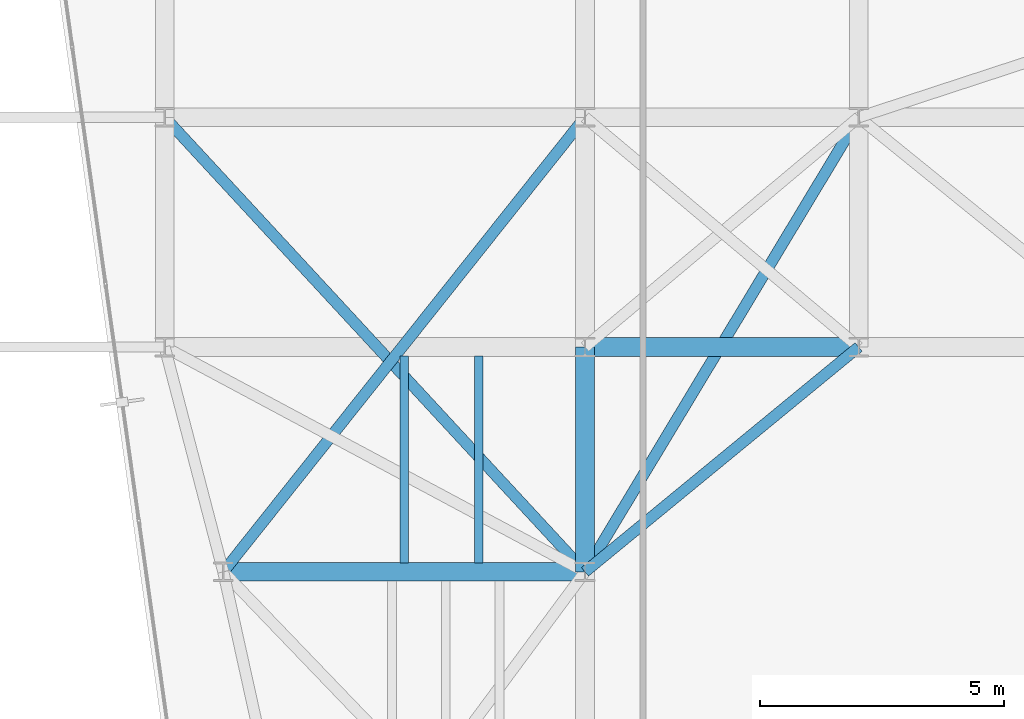
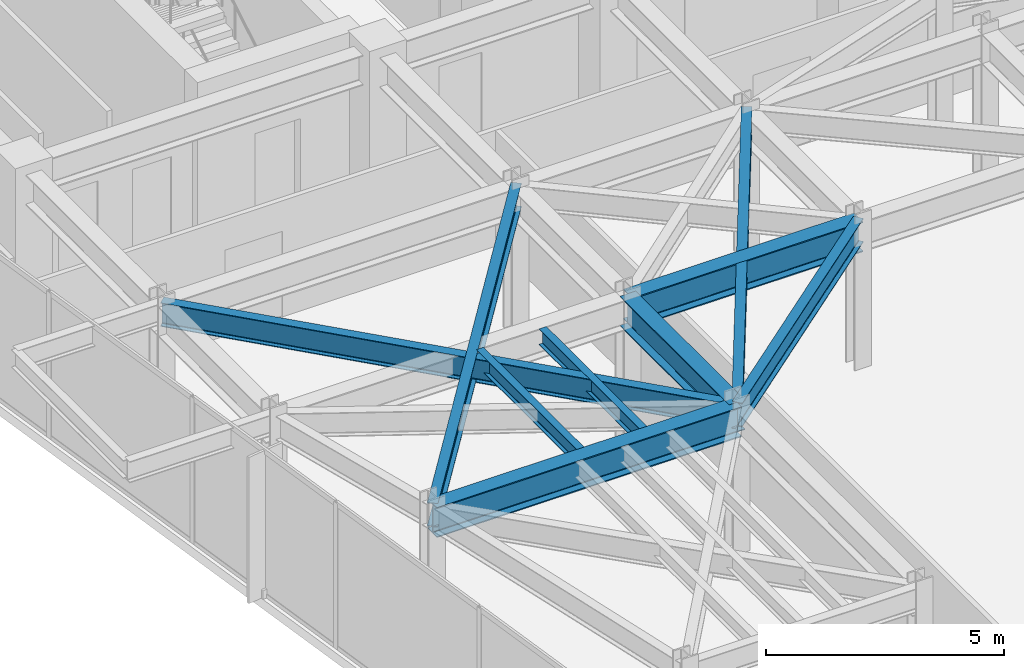
# One storey, part 5 of 27: 9 beams.
"""IFC4 building model written with IfcOpenShell, lengths in metres."""

from ifc_helpers import new_model, si_unit, direction, frame, origin, origin_2d, place, context, subcontext, project, spatial, i_section, extrude, material, material_profile, profile_set, type_object, element, save


model = new_model("IFC4")

# Units and contexts
model_context = context("Model", 3, precision=1e-05, world=origin(), true_north=direction((0.0, 1.0)))
body_context = subcontext(model_context, "Body", "Model", "MODEL_VIEW")
ifc_project = project(units=[si_unit("LENGTHUNIT", "METRE"), si_unit("AREAUNIT", "SQUARE_METRE"), si_unit("VOLUMEUNIT", "CUBIC_METRE"), si_unit("PLANEANGLEUNIT", "RADIAN"), si_unit("MASSUNIT", "GRAM", prefix="KILO")], contexts=[model_context])

# Site, building, storey
site_placement = place(None, origin())
site = spatial("IfcSite", under=ifc_project, at=site_placement, CompositionType="ELEMENT")
building_placement = place(site_placement, origin())
building = spatial("IfcBuilding", under=site, at=building_placement, Name="Kravanh Interchange Tower", CompositionType="ELEMENT")
storey_placement = place(building_placement, frame((0.0, 0.0, 196.5)))
storey = spatial("IfcBuildingStorey", under=building, at=storey_placement, Name="L47", CompositionType="ELEMENT", Elevation=196.5)

# Beams
ifc_material_1 = material(Name="Structural Steel S355", Category="steel")
ifc_material_profile_1 = material_profile(ifc_material_1, i_section(OverallWidth=0.381103515625, OverallDepth=0.77294921875, WebThickness=0.0166015625, FlangeThickness=0.027099609375, FilletRadius=0.02490234375, at=origin_2d()), Name="W30X173")
ifc_profile_set_1 = profile_set([ifc_material_profile_1], Name="Structural Steel S355")
beam_type_1 = type_object("IfcBeamType", Name="Floor Beam W30X173 Structural Steel S355", PredefinedType="BEAM", material=ifc_profile_set_1)
beam_1_placement = place(storey_placement, frame((27.199951171875, 26.800048828125, 3.368408203125), z_axis=(0.0, -1.0, 0.0), x_axis=(1.0, 0.0, 0.0)))
element("IfcBeam", 1, at=beam_1_placement, inside=storey, type_object=beam_type_1, Name="L47 Primary Floor Girder 37", PredefinedType="BEAM", context=body_context, shape_type="SweptSolid", body=[
    extrude(i_section(OverallWidth=0.381103515625, OverallDepth=0.77294921875, WebThickness=0.0166015625, FlangeThickness=0.027099609375, FilletRadius=0.02490234375, at=origin_2d()), origin(), (0.0, 0.0, 1.0), 4.60009765625),
])
beam_2_placement = place(storey_placement, frame((27.199951171875, 26.800048828125, 3.368408203125), z_axis=(1.0, 0.0, 0.0), x_axis=(0.0, 1.0, 0.0)))
element("IfcBeam", 2, at=beam_2_placement, inside=storey, type_object=beam_type_1, Name="L47 Primary Floor Girder 39", PredefinedType="BEAM", context=body_context, shape_type="SweptSolid", body=[
    extrude(i_section(OverallWidth=0.381103515625, OverallDepth=0.77294921875, WebThickness=0.0166015625, FlangeThickness=0.027099609375, FilletRadius=0.02490234375, at=origin_2d()), origin(), (0.0, 0.0, 1.0), 5.60009765625),
])
beam_3_placement = place(storey_placement, frame((19.800048828125, 22.199951171875, 3.368408203125), z_axis=(1.0, 0.0, 0.0), x_axis=(0.0, 1.0, 0.0)))
element("IfcBeam", 3, at=beam_3_placement, inside=storey, type_object=beam_type_1, Name="L47 Primary Floor Girder 91", PredefinedType="BEAM", context=body_context, shape_type="SweptSolid", body=[
    extrude(i_section(OverallWidth=0.381103515625, OverallDepth=0.77294921875, WebThickness=0.0166015625, FlangeThickness=0.027099609375, FilletRadius=0.02490234375, at=origin_2d()), origin(), (0.0, 0.0, 1.0), 7.39990234375),
])
ifc_material_2 = material(Name="Structural Steel S355", Category="steel")
ifc_material_profile_2 = material_profile(ifc_material_2, i_section(OverallWidth=0.177978515625, OverallDepth=0.406005859375, WebThickness=0.0078125, FlangeThickness=0.0126953125, FilletRadius=0.01611328125, at=origin_2d()), Name="W16X40")
ifc_profile_set_2 = profile_set([ifc_material_profile_2], Name="Structural Steel S355")
beam_type_2 = type_object("IfcBeamType", Name="Floor Joist W16X40 Structural Steel S355", PredefinedType="JOIST", material=ifc_profile_set_2)
for number, where, z_axis, x_axis, name in (
    (4, (23.5, 22.385498046875, 3.552001953125), (0.0, 1.0, 0.0), (-1.0, 0.0, 0.0), "L47 Secondary Floor Joist 8"),
    (5, (25.02490234375, 22.385498046875, 3.552001953125), (0.0, 1.0, 0.0), (-1.0, 0.0, 0.0), "L47 Secondary Floor Joist 9"),
):
    element("IfcBeam", number, at=place(storey_placement, frame(where, z_axis=z_axis, x_axis=x_axis)), inside=storey, type_object=beam_type_2, Name=name, PredefinedType="JOIST", context=body_context, shape_type="SweptSolid", body=[
        extrude(i_section(OverallWidth=0.177978515625, OverallDepth=0.406005859375, WebThickness=0.0078125, FlangeThickness=0.0126953125, FilletRadius=0.01611328125, at=origin_2d()), origin(), (0.0, 0.0, 1.0), 4.22900390625),
    ])
ifc_material_3 = material(Name="Structural Steel S355", Category="steel")
ifc_material_profile_3 = material_profile(ifc_material_3, i_section(OverallWidth=0.22802734375, OverallDepth=0.60791015625, WebThickness=0.01123046875, FlangeThickness=0.017333984375, FilletRadius=0.02197265625, at=origin_2d()), Name="W24X76")
ifc_profile_set_3 = profile_set([ifc_material_profile_3], Name="Structural Steel S355")
beam_type_3 = type_object("IfcBeamType", Name="Floor Spandrel W24X76 Structural Steel S355", PredefinedType="SPANDREL", material=ifc_profile_set_3)
beam_4_placement = place(storey_placement, frame((32.800048828125, 26.800048828125, 3.450927734375), z_axis=(-0.772725074305, -0.634740860147, 0.0), x_axis=(0.634740860147, -0.772725074305, 0.0)))
element("IfcBeam", 6, at=beam_4_placement, inside=storey, type_object=beam_type_3, Name="L47 Perimeter Spandrel 43", PredefinedType="SPANDREL", context=body_context, shape_type="SweptSolid", body=[
    extrude(i_section(OverallWidth=0.22802734375, OverallDepth=0.60791015625, WebThickness=0.01123046875, FlangeThickness=0.017333984375, FilletRadius=0.02197265625, at=origin_2d()), origin(), (0.0, 0.0, 1.0), 7.247314453125),
])
beam_5_placement = place(storey_placement, frame((18.60009765625, 31.5, 3.450927734375), z_axis=(0.678927458783, -0.734205356634, 0.0), x_axis=(0.734205356634, 0.678927458783, 0.0)))
element("IfcBeam", 7, at=beam_5_placement, inside=storey, type_object=beam_type_3, Name="L47 Perimeter Spandrel 63", PredefinedType="SPANDREL", context=body_context, shape_type="SweptSolid", body=[
    extrude(i_section(OverallWidth=0.22802734375, OverallDepth=0.60791015625, WebThickness=0.01123046875, FlangeThickness=0.017333984375, FilletRadius=0.02197265625, at=origin_2d()), origin(), (0.0, 0.0, 1.0), 12.666748046875),
])
beam_6_placement = place(storey_placement, frame((27.199951171875, 31.5, 3.450927734375), z_axis=(-0.622633646541, -0.782513477324, 0.0), x_axis=(0.782513477324, -0.622633646541, 0.0)))
element("IfcBeam", 8, at=beam_6_placement, inside=storey, type_object=beam_type_3, Name="L47 Perimeter Spandrel 66", PredefinedType="SPANDREL", context=body_context, shape_type="SweptSolid", body=[
    extrude(i_section(OverallWidth=0.22802734375, OverallDepth=0.60791015625, WebThickness=0.01123046875, FlangeThickness=0.017333984375, FilletRadius=0.02197265625, at=origin_2d()), origin(), (0.0, 0.0, 1.0), 11.884765625),
])
beam_7_placement = place(storey_placement, frame((32.800048828125, 31.5, 3.450927734375), z_axis=(-0.515854375109, -0.856676288735, 0.0), x_axis=(0.856676288735, -0.515854375109, 0.0)))
element("IfcBeam", 9, at=beam_7_placement, inside=storey, type_object=beam_type_3, Name="L47 Perimeter Spandrel 69", PredefinedType="SPANDREL", context=body_context, shape_type="SweptSolid", body=[
    extrude(i_section(OverallWidth=0.22802734375, OverallDepth=0.60791015625, WebThickness=0.01123046875, FlangeThickness=0.017333984375, FilletRadius=0.02197265625, at=origin_2d()), origin(), (0.0, 0.0, 1.0), 10.85595703125),
])

save(model, "model.ifc")
